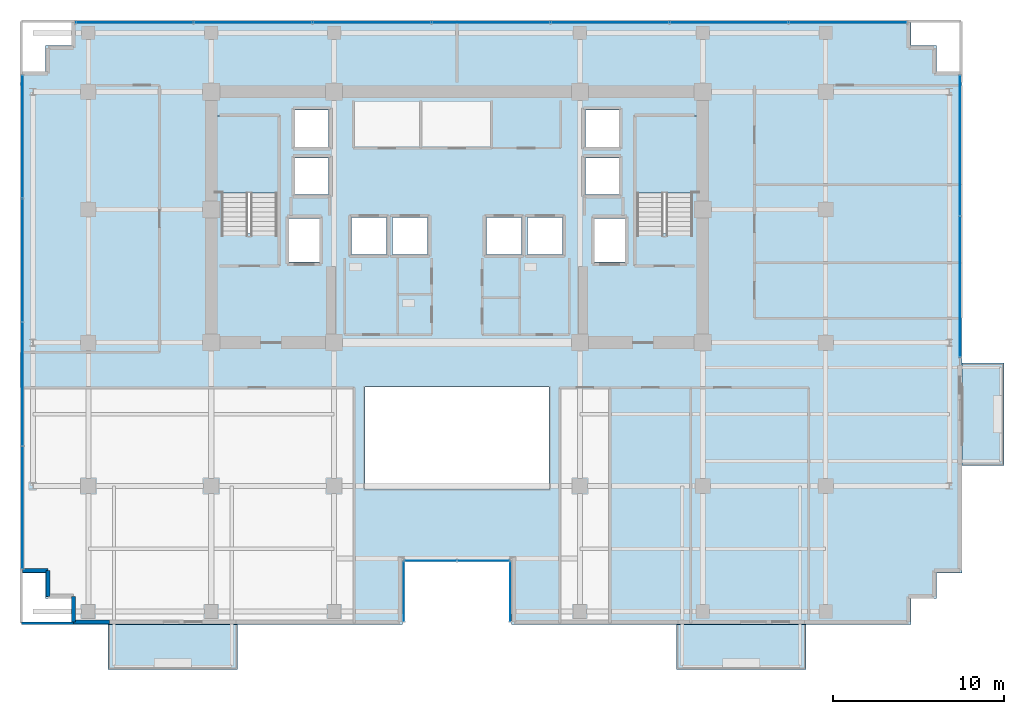
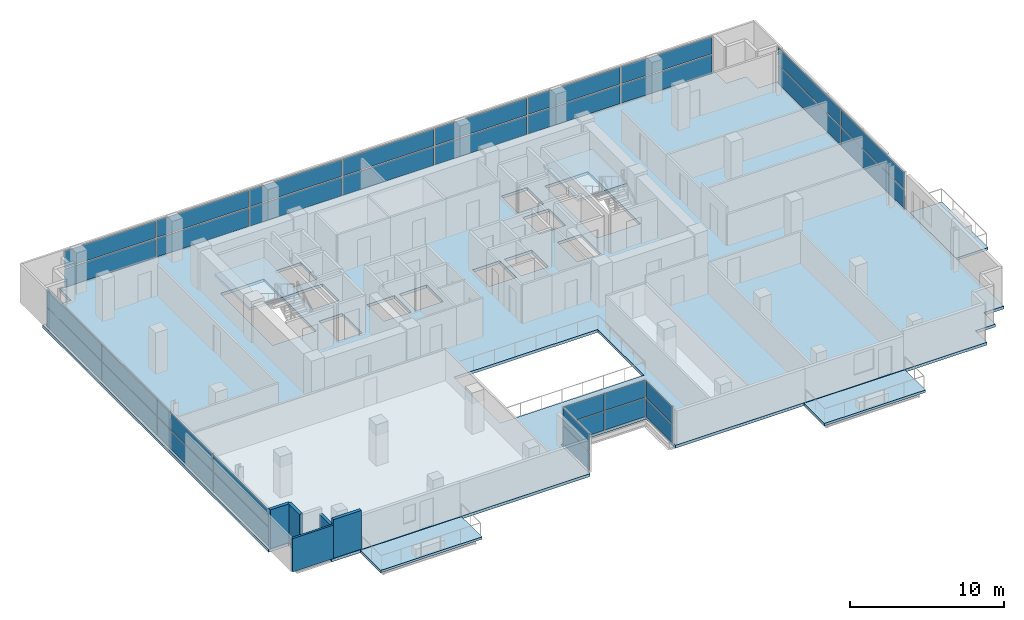
# One storey, part 16 of 24: 34 plates, 6 slabs, 5 walls, 8 elements without a shape of their own.
"""IFC4 building model written with IfcOpenShell, lengths in metres."""

import ifcopenshell
import ifcopenshell.guid

model = None  # the IFC model being written
_history = None  # IfcOwnerHistory: only IFC2X3 demands one
_inside = {}  # id of a spatial element -> (the spatial element, [elements in it])
_under = {}  # id of a project, library or spatial element -> (it, [spatial elements below it])
_declared = {}  # id of a project -> (the project, [libraries it declares])
_typed = {}  # id of a type object -> (the type object, [elements of that type])
_made_of = {}  # id of a material, layer set ... -> (it, [elements and type objects made of it])


def new_model(schema):
    """Start an empty IFC model of exactly this schema.

    Asked for "IFC4X3", IfcOpenShell would pick the latest addendum, in which some entities
    have other attributes; the version numbers below select the first issue.
    IFC2X3 requires an IfcOwnerHistory on every rooted entity: one is made here for all.
    """
    global model, _history
    if schema == "IFC4X3":
        model = ifcopenshell.file(schema_version=(4, 3, 0, 0))
    else:
        model = ifcopenshell.file(schema=schema)
    _inside.clear()
    _under.clear()
    _declared.clear()
    _typed.clear()
    _made_of.clear()
    _history = None
    if model.schema == "IFC2X3":
        org = make("IfcOrganization", Name="unknown")
        user = make(
            "IfcPersonAndOrganization",
            ThePerson=make("IfcPerson", FamilyName="unknown"),
            TheOrganization=org,
        )
        app = make(
            "IfcApplication",
            ApplicationDeveloper=org,
            Version="unknown",
            ApplicationFullName="unknown",
            ApplicationIdentifier="unknown",
        )
        _history = make(
            "IfcOwnerHistory",
            OwningUser=user,
            OwningApplication=app,
            ChangeAction="ADDED",
            CreationDate=0,
        )
    return model


def make(cls, **values):
    """One entity of the class cls with the attributes given. An attribute that is None is left unset."""
    return model.create_entity(
        cls, **{name: value for name, value in values.items() if value is not None}
    )


def rooted(cls, **values):
    """An entity with a GlobalId (a new one), such as an element, a storey or a relation."""
    return make(cls, GlobalId=ifcopenshell.guid.new(), OwnerHistory=_history, **values)


def si_unit(unit_type, name, prefix=None):
    """IfcSIUnit, for example si_unit("LENGTHUNIT", "METRE", prefix="MILLI")."""
    return make("IfcSIUnit", UnitType=unit_type, Prefix=prefix, Name=name)


def assignment(units):
    """IfcUnitAssignment: the units of a project."""
    return None if units is None else make("IfcUnitAssignment", Units=units)


def point(xyz):
    """IfcCartesianPoint."""
    return None if xyz is None else make("IfcCartesianPoint", Coordinates=xyz)


def direction(xyz):
    """IfcDirection."""
    return None if xyz is None else make("IfcDirection", DirectionRatios=xyz)


def frame(location, z_axis=None, x_axis=None):
    """IfcAxis2Placement3D, a coordinate frame: its origin and axes. An axis left out is left unset."""
    return make(
        "IfcAxis2Placement3D",
        Location=point(location),
        Axis=direction(z_axis),
        RefDirection=direction(x_axis),
    )


def frame_2d(location, x_axis=None):
    """IfcAxis2Placement2D, a coordinate frame in the plane: its origin and x axis."""
    return make(
        "IfcAxis2Placement2D", Location=point(location), RefDirection=direction(x_axis)
    )


def origin():
    """The frame at (0, 0, 0) with its axes left unset."""
    return frame((0.0, 0.0, 0.0))


def origin_2d():
    """The frame at (0, 0) in the plane with its x axis left unset."""
    return frame_2d((0.0, 0.0))


def place(relative_to, where):
    """IfcLocalPlacement: puts the frame where relative to a parent placement (None: the world)."""
    return make(
        "IfcLocalPlacement", PlacementRelTo=relative_to, RelativePlacement=where
    )


def context(
    kind, dimensions, precision=None, world=None, true_north=None, identifier=None
):
    """IfcGeometricRepresentationContext, for example the 3D "Model" context."""
    return make(
        "IfcGeometricRepresentationContext",
        ContextIdentifier=identifier,
        ContextType=kind,
        CoordinateSpaceDimension=dimensions,
        Precision=precision,
        WorldCoordinateSystem=world,
        TrueNorth=true_north,
    )


def subcontext(parent, identifier, kind, view, scale=None):
    """IfcGeometricRepresentationSubContext, for example "Body" below "Model"."""
    return make(
        "IfcGeometricRepresentationSubContext",
        ContextIdentifier=identifier,
        ContextType=kind,
        ParentContext=parent,
        TargetScale=scale,
        TargetView=view,
    )


def project(units=None, contexts=None):
    """IfcProject with its units and contexts."""
    return rooted(
        "IfcProject",
        Name="project",
        RepresentationContexts=contexts,
        UnitsInContext=assignment(units),
    )


def spatial(cls, under=None, at=None, **own):
    """A site, building, storey or space (cls), placed at a placement, below another one or the project."""
    s = rooted(cls, ObjectPlacement=at, **own)
    if under is not None:
        _under.setdefault(under.id(), (under, []))[1].append(s)
    return s


def polyline(points):
    """IfcPolyline through the points."""
    return make("IfcPolyline", Points=[point(p) for p in points])


def profile(cls, at=None, kind="AREA", **sizes):
    """A parametric profile (cls). Its sizes go by their IFC names, for example OverallWidth=200.0."""
    return make(cls, ProfileType=kind, Position=at, **sizes)


def rectangle(**sizes):
    """IfcRectangleProfileDef."""
    return profile("IfcRectangleProfileDef", **sizes)


def outline(outer, holes=None, kind="AREA"):
    """IfcArbitraryClosedProfileDef: a profile drawn as a closed curve; with holes, ...WithVoids."""
    if holes is None:
        return make("IfcArbitraryClosedProfileDef", ProfileType=kind, OuterCurve=outer)
    return make(
        "IfcArbitraryProfileDefWithVoids",
        ProfileType=kind,
        OuterCurve=outer,
        InnerCurves=holes,
    )


def extrude(swept, where, along, depth):
    """IfcExtrudedAreaSolid: the profile swept, set in the frame where, extruded along a direction by depth."""
    return make(
        "IfcExtrudedAreaSolid",
        SweptArea=swept,
        Position=where,
        ExtrudedDirection=direction(along),
        Depth=depth,
    )


def shape(context_of_items, identifier, shape_type, items):
    """IfcShapeRepresentation: the items that make up one representation, for example the "Body"."""
    return make(
        "IfcShapeRepresentation",
        ContextOfItems=context_of_items,
        RepresentationIdentifier=identifier,
        RepresentationType=shape_type,
        Items=items,
    )


def source(mapping_origin, context_of_items, identifier, shape_type, items):
    """IfcRepresentationMap: a shape defined once, which mapped items show again and again."""
    return make(
        "IfcRepresentationMap",
        MappingOrigin=mapping_origin,
        MappedRepresentation=shape(context_of_items, identifier, shape_type, items),
    )


def transform(
    local_origin,
    x_axis=None,
    y_axis=None,
    z_axis=None,
    scale=None,
    scale2=None,
    scale3=None,
    uniform=True,
):
    """IfcCartesianTransformationOperator3D, or its non-uniform kind. x_axis, y_axis, z_axis: its Axis1, 2, 3."""
    if uniform:
        return make(
            "IfcCartesianTransformationOperator3D",
            Axis1=direction(x_axis),
            Axis2=direction(y_axis),
            LocalOrigin=point(local_origin),
            Scale=scale,
            Axis3=direction(z_axis),
        )
    return make(
        "IfcCartesianTransformationOperator3DnonUniform",
        Axis1=direction(x_axis),
        Axis2=direction(y_axis),
        LocalOrigin=point(local_origin),
        Scale=scale,
        Axis3=direction(z_axis),
        Scale2=scale2,
        Scale3=scale3,
    )


def mapped(mapping_source, mapping_target):
    """IfcMappedItem: shows the shape of a source again, moved by a transform."""
    return make(
        "IfcMappedItem", MappingSource=mapping_source, MappingTarget=mapping_target
    )


def material(Name=None, Category=None):
    """IfcMaterial."""
    return make("IfcMaterial", Name=Name, Category=Category)


def layer(
    of_material, thickness, ventilated=None, Name=None, Category=None, Priority=None
):
    """IfcMaterialLayer: one layer of a wall or slab, of a material (None: an air gap)."""
    return make(
        "IfcMaterialLayer",
        Material=of_material,
        LayerThickness=thickness,
        IsVentilated=ventilated,
        Name=Name,
        Category=Category,
        Priority=Priority,
    )


def layer_set(layers, Name=None):
    """IfcMaterialLayerSet."""
    return make("IfcMaterialLayerSet", MaterialLayers=layers, LayerSetName=Name)


def made_of(thing, what):
    """Note that an element or type object is made of a material, layer set ...; save() writes the relation."""
    if what is not None:
        _made_of.setdefault(what.id(), (what, []))[1].append(thing)
    return thing


def type_object(cls, material=None, **own):
    """A type object (cls), such as IfcWallType, which elements share."""
    return made_of(rooted(cls, **own), material)


def element(
    cls,
    number,
    at=None,
    inside=None,
    cuts=None,
    type_object=None,
    material=None,
    context=None,
    identifier="Body",
    shape_type=None,
    held_by="IfcProductDefinitionShape",
    body=None,
    shapes=None,
    **own,
):
    """One element of the class cls, such as IfcWall. Its Tag is "e" and its number.

    at: its placement. inside: the storey or other place that contains it. cuts: it is an
    opening in that element (IfcRelVoidsElement). A single representation is given by context,
    identifier, shape_type and body (its items); several are given by shapes. held_by: the class
    of the entity that holds the representations. save() writes the other relations.
    """
    e = rooted(cls, Tag="e%d" % number, ObjectPlacement=at, **own)
    if body is not None:
        shapes = [shape(context, identifier, shape_type, body)]
    if shapes is not None:
        e.Representation = make(held_by, Representations=shapes)
    if inside is not None:
        _inside.setdefault(inside.id(), (inside, []))[1].append(e)
    if cuts is not None:
        rooted(
            "IfcRelVoidsElement", RelatingBuildingElement=cuts, RelatedOpeningElement=e
        )
    if type_object is not None:
        _typed.setdefault(type_object.id(), (type_object, []))[1].append(e)
    return made_of(e, material)


def aggregate(whole, parts):
    """IfcRelAggregates: a whole, such as a stair, and the parts it consists of."""
    return rooted("IfcRelAggregates", RelatingObject=whole, RelatedObjects=parts)


def save(model, path):
    """Write the relations noted so far, then the file.

    IfcRelAggregates (storeys below a building ...), IfcRelContainedInSpatialStructure (elements
    in a storey), IfcRelDefinesByType, IfcRelAssociatesMaterial and IfcRelDeclares: one each for
    every whole, place, type object, material and project.
    """
    for whole, parts in _under.values():
        aggregate(whole, parts)
    for where, things in _inside.values():
        rooted(
            "IfcRelContainedInSpatialStructure",
            RelatedElements=things,
            RelatingStructure=where,
        )
    for kind, things in _typed.values():
        rooted("IfcRelDefinesByType", RelatedObjects=things, RelatingType=kind)
    for what, things in _made_of.values():
        rooted("IfcRelAssociatesMaterial", RelatedObjects=things, RelatingMaterial=what)
    for by, libraries in _declared.values():
        rooted("IfcRelDeclares", RelatingContext=by, RelatedDefinitions=libraries)
    model.write(path)


model = new_model("IFC4")

# Units and contexts
model_context = context("Model", 3, precision=1e-05, world=origin(), true_north=direction((0.0, 1.0)))
body_context = subcontext(model_context, "Body", "Model", "MODEL_VIEW")
ifc_project = project(units=[si_unit("LENGTHUNIT", "METRE"), si_unit("AREAUNIT", "SQUARE_METRE"), si_unit("VOLUMEUNIT", "CUBIC_METRE"), si_unit("PLANEANGLEUNIT", "RADIAN"), si_unit("MASSUNIT", "GRAM", prefix="KILO")], contexts=[model_context])

# Site, building, storey
site_placement = place(None, origin())
site = spatial("IfcSite", under=ifc_project, at=site_placement, CompositionType="ELEMENT")
building_placement = place(site_placement, origin())
building = spatial("IfcBuilding", under=site, at=building_placement, Name="Zarnakvel Exchange Tower", CompositionType="ELEMENT")
storey_placement = place(building_placement, frame((0.0, 0.0, 133.0)))
storey = spatial("IfcBuildingStorey", under=building, at=storey_placement, Name="L37", CompositionType="ELEMENT", Elevation=133.0)

# Stair, slab
ifc_material_1 = material(Name="Concrete C40/50", Category="concrete")
stair_type = type_object("IfcStairType", Name="STR-01", PredefinedType="HALF_TURN_STAIR", material=ifc_material_1)
stair_1_placement = place(storey_placement, origin())
stair_1 = element("IfcStair", 1, at=stair_1_placement, inside=storey, type_object=stair_type, Name="L37 Protected Core Exit Stair ST-01", PredefinedType="HALF_TURN_STAIR")
ifc_layer_1 = layer(ifc_material_1, 0.199951171875)
ifc_layer_set_1 = layer_set([ifc_layer_1], Name="Concrete C40/50")
slab_type_1 = type_object("IfcSlabType", Name="LDG-01", PredefinedType="LANDING", material=ifc_layer_set_1)
slab_1_placement = place(storey_placement, frame((0.0, 0.0, 1.449951171875)))
slab_1 = element("IfcSlab", 2, at=slab_1_placement, type_object=slab_type_1, Name="ST-01 landing 1", PredefinedType="LANDING", context=body_context, shape_type="SweptSolid", body=[
    extrude(outline(polyline([(-14.18994140625, 7.570068359375), (-10.4599609375, 7.570068359375), (-10.4599609375, 12.080078125), (-14.18994140625, 12.080078125), (-14.18994140625, 7.570068359375)])), origin(), (0.0, 0.0, 1.0), 0.199951171875),
])
aggregate(stair_1, [slab_1])

stair_2_placement = place(storey_placement, origin())
stair_2 = element("IfcStair", 3, at=stair_2_placement, inside=storey, type_object=stair_type, Name="L37 Protected Core Exit Stair ST-02", PredefinedType="HALF_TURN_STAIR")
slab_2_placement = place(storey_placement, frame((0.0, 0.0, 1.449951171875)))
slab_2 = element("IfcSlab", 4, at=slab_2_placement, type_object=slab_type_1, Name="ST-02 landing 1", PredefinedType="LANDING", context=body_context, shape_type="SweptSolid", body=[
    extrude(outline(polyline([(10.4599609375, 7.570068359375), (14.18994140625, 7.570068359375), (14.18994140625, 12.080078125), (10.4599609375, 12.080078125), (10.4599609375, 7.570068359375)])), origin(), (0.0, 0.0, 1.0), 0.199951171875),
])
aggregate(stair_2, [slab_2])

# Slabs
ifc_layer_2 = layer(ifc_material_1, 0.22509765625)
ifc_layer_set_2 = layer_set([ifc_layer_2], Name="Concrete C40/50")
slab_type_2 = type_object("IfcSlabType", Name="SL-04", PredefinedType="FLOOR", material=ifc_layer_set_2)
slab_3_placement = place(storey_placement, frame((0.0, 0.0, -0.22509765625)))
element("IfcSlab", 5, at=slab_3_placement, inside=storey, type_object=slab_type_2, Name="L37 Primary Structural Floor Slab", PredefinedType="FLOOR", context=body_context, shape_type="SweptSolid", body=[
    extrude(outline(polyline([(-25.60009765625, -14.699951171875), (-24.10009765625, -14.699951171875), (-24.10009765625, -16.199951171875), (-22.60009765625, -16.199951171875), (-22.60009765625, -17.699951171875), (-3.199951171875, -17.699951171875), (-3.199951171875, -13.89990234375), (3.199951171875, -13.89990234375), (3.199951171875, -17.699951171875), (26.60009765625, -17.699951171875), (26.60009765625, -16.199951171875), (28.10009765625, -16.199951171875), (28.10009765625, -14.699951171875), (29.60009765625, -14.699951171875), (29.60009765625, 14.699951171875), (28.10009765625, 14.699951171875), (28.10009765625, 16.199951171875), (26.60009765625, 16.199951171875), (26.60009765625, 17.699951171875), (-22.60009765625, 17.699951171875), (-22.60009765625, 16.199951171875), (-24.10009765625, 16.199951171875), (-24.10009765625, 14.699951171875), (-25.60009765625, 14.699951171875), (-25.60009765625, -14.699951171875)]), holes=[polyline([(-5.39990234375, -9.800048828125), (5.39990234375, -9.800048828125), (5.39990234375, -3.800048828125), (-5.39990234375, -3.800048828125), (-5.39990234375, -9.800048828125)]), polyline([(-13.800048828125, 5.2099609375), (-10.5400390625, 5.2099609375), (-10.5400390625, 12.0), (-13.800048828125, 12.0), (-13.800048828125, 5.2099609375)]), polyline([(10.5400390625, 5.2099609375), (13.800048828125, 5.2099609375), (13.800048828125, 12.0), (10.5400390625, 12.0), (10.5400390625, 5.2099609375)]), polyline([(-9.830078125, 3.52001953125), (-8.070068359375, 3.52001953125), (-8.070068359375, 6.080078125), (-9.830078125, 6.080078125), (-9.830078125, 3.52001953125)]), polyline([(8.070068359375, 3.52001953125), (9.830078125, 3.52001953125), (9.830078125, 6.080078125), (8.070068359375, 6.080078125), (8.070068359375, 3.52001953125)]), polyline([(-6.179931640625, 3.969970703125), (-4.1201171875, 3.969970703125), (-4.1201171875, 6.1298828125), (-6.179931640625, 6.1298828125), (-6.179931640625, 3.969970703125)]), polyline([(-3.780029296875, 3.969970703125), (-1.719970703125, 3.969970703125), (-1.719970703125, 6.1298828125), (-3.780029296875, 6.1298828125), (-3.780029296875, 3.969970703125)]), polyline([(1.719970703125, 3.969970703125), (3.780029296875, 3.969970703125), (3.780029296875, 6.1298828125), (1.719970703125, 6.1298828125), (1.719970703125, 3.969970703125)]), polyline([(4.1201171875, 3.969970703125), (6.179931640625, 3.969970703125), (6.179931640625, 6.1298828125), (4.1201171875, 6.1298828125), (4.1201171875, 3.969970703125)]), polyline([(-9.47998046875, 7.469970703125), (-7.52001953125, 7.469970703125), (-7.52001953125, 9.6298828125), (-9.47998046875, 9.6298828125), (-9.47998046875, 7.469970703125)]), polyline([(-9.47998046875, 10.27001953125), (-7.52001953125, 10.27001953125), (-7.52001953125, 12.429931640625), (-9.47998046875, 12.429931640625), (-9.47998046875, 10.27001953125)]), polyline([(7.52001953125, 7.469970703125), (9.47998046875, 7.469970703125), (9.47998046875, 9.6298828125), (7.52001953125, 9.6298828125), (7.52001953125, 7.469970703125)]), polyline([(7.52001953125, 10.27001953125), (9.47998046875, 10.27001953125), (9.47998046875, 12.429931640625), (7.52001953125, 12.429931640625), (7.52001953125, 10.27001953125)])]), origin(), (0.0, 0.0, 1.0), 0.22509765625),
])
ifc_layer_3 = layer(ifc_material_1, 0.18994140625)
ifc_layer_set_3 = layer_set([ifc_layer_3], Name="Concrete C40/50")
slab_type_3 = type_object("IfcSlabType", Name="SL-08", PredefinedType="USERDEFINED", material=ifc_layer_set_3)
slab_4_placement = place(storey_placement, frame((0.0, 0.0, -0.22509765625)))
element("IfcSlab", 6, at=slab_4_placement, inside=storey, type_object=slab_type_3, Name="L37 Planted Loggia Balcony Slab BAL-L37-SW", ObjectType="BALCONY", PredefinedType="USERDEFINED", context=body_context, shape_type="SweptSolid", body=[
    extrude(outline(polyline([(-20.449951171875, -20.35009765625), (-12.85009765625, -20.35009765625), (-12.85009765625, -17.699951171875), (-20.449951171875, -17.699951171875), (-20.449951171875, -20.35009765625)])), origin(), (0.0, 0.0, 1.0), 0.190185546875),
])
slab_5_placement = place(storey_placement, frame((0.0, 0.0, -0.22509765625)))
element("IfcSlab", 7, at=slab_5_placement, inside=storey, type_object=slab_type_3, Name="L37 Planted Loggia Balcony Slab BAL-L37-SE", ObjectType="BALCONY", PredefinedType="USERDEFINED", context=body_context, shape_type="SweptSolid", body=[
    extrude(outline(polyline([(12.85009765625, -20.35009765625), (20.449951171875, -20.35009765625), (20.449951171875, -17.699951171875), (12.85009765625, -17.699951171875), (12.85009765625, -20.35009765625)])), origin(), (0.0, 0.0, 1.0), 0.190185546875),
])
slab_6_placement = place(storey_placement, frame((0.0, 0.0, -0.22509765625)))
element("IfcSlab", 8, at=slab_6_placement, inside=storey, type_object=slab_type_3, Name="L37 Planted Loggia Balcony Slab BAL-L37-E", ObjectType="BALCONY", PredefinedType="USERDEFINED", context=body_context, shape_type="SweptSolid", body=[
    extrude(outline(polyline([(29.60009765625, -8.39990234375), (32.050048828125, -8.39990234375), (32.050048828125, -2.39990234375), (29.60009765625, -2.39990234375), (29.60009765625, -8.39990234375)])), origin(), (0.0, 0.0, 1.0), 0.190185546875),
])

# Curtain wall, plate
ifc_material_2 = material(Name="Architectural Bronze Anodised Aluminium", Category="aluminium")
ifc_layer_4 = layer(ifc_material_2, 0.179931640625)
ifc_layer_set_4 = layer_set([ifc_layer_4], Name="Architectural Bronze Anodised Aluminium")
curtain_wall_type_1 = type_object("IfcCurtainWallType", Name="CW-05", PredefinedType="NOTDEFINED", material=ifc_layer_set_4)
curtain_wall_1_placement = place(storey_placement, origin())
curtain_wall_1 = element("IfcCurtainWall", 9, at=curtain_wall_1_placement, inside=storey, type_object=curtain_wall_type_1, Name="L37 Curtain Wall CW-L37-SLW (CW-05)", PredefinedType="NOTDEFINED")
ifc_material_3 = material(Name="Double Low-E Laminated Vision Glass", Category="glass")
ifc_layer_5 = layer(ifc_material_3, 0.02587890625)
ifc_layer_set_5 = layer_set([ifc_layer_5], Name="Double Low-E Laminated Vision Glass")
plate_type_1 = type_object("IfcPlateType", Name="CWP-05", PredefinedType="CURTAIN_PANEL", material=ifc_layer_set_5)
shared_shape_1 = source(origin(), body_context, "Body", "SweptSolid", [
    extrude(rectangle(XDim=3.4599609375, YDim=0.02587890625, at=origin_2d()), origin(), (0.0, 0.0, 1.0), 1.483642578125),
])
plate_1_placement = place(storey_placement, frame((-3.1201171875, -15.780029296875, 0.06982421875), z_axis=(0.0, 0.0, 1.0), x_axis=(0.0, 1.0, 0.0)))
plate_1 = element("IfcPlate", 10, at=plate_1_placement, type_object=plate_type_1, Name="CW-05 panel 1.1", PredefinedType="CURTAIN_PANEL", context=body_context, shape_type="MappedRepresentation", body=[
    mapped(shared_shape_1, transform((0.0, 0.0, 0.0), x_axis=(1.0, 0.0, 0.0), y_axis=(0.0, 1.0, 0.0), z_axis=(0.0, 0.0, 1.0), scale=1.0)),
])

curtain_wall_2_placement = place(storey_placement, origin())
curtain_wall_2 = element("IfcCurtainWall", 11, at=curtain_wall_2_placement, inside=storey, type_object=curtain_wall_type_1, Name="L37 Curtain Wall CW-L37-SLE (CW-05)", PredefinedType="NOTDEFINED")
plate_2_placement = place(storey_placement, frame((3.1201171875, -15.780029296875, 0.06982421875), z_axis=(0.0, 0.0, 1.0), x_axis=(0.0, -1.0, 0.0)))
plate_2 = element("IfcPlate", 12, at=plate_2_placement, type_object=plate_type_1, Name="CW-05 panel 1.1", PredefinedType="CURTAIN_PANEL", context=body_context, shape_type="MappedRepresentation", body=[
    mapped(shared_shape_1, transform((0.0, 0.0, 0.0), x_axis=(1.0, 0.0, 0.0), y_axis=(0.0, 1.0, 0.0), z_axis=(0.0, 0.0, 1.0), scale=1.0)),
])

# Plate
shared_shape_2 = source(origin(), body_context, "Body", "SweptSolid", [
    extrude(rectangle(XDim=3.4599609375, YDim=0.02587890625, at=origin_2d()), origin(), (0.0, 0.0, 1.0), 1.361328125),
])
plate_3_placement = place(storey_placement, frame((-3.1201171875, -15.780029296875, 1.62353515625), z_axis=(0.0, 0.0, 1.0), x_axis=(0.0, 1.0, 0.0)))
plate_3 = element("IfcPlate", 13, at=plate_3_placement, type_object=plate_type_1, Name="CW-05 panel 1.2", PredefinedType="CURTAIN_PANEL", context=body_context, shape_type="MappedRepresentation", body=[
    mapped(shared_shape_2, transform((0.0, 0.0, 0.0), x_axis=(1.0, 0.0, 0.0), y_axis=(0.0, 1.0, 0.0), z_axis=(0.0, 0.0, 1.0), scale=1.0)),
])

aggregate(curtain_wall_1, [plate_1, plate_3])

plate_4_placement = place(storey_placement, frame((3.1201171875, -15.780029296875, 1.62353515625), z_axis=(0.0, 0.0, 1.0), x_axis=(0.0, -1.0, 0.0)))
plate_4 = element("IfcPlate", 14, at=plate_4_placement, type_object=plate_type_1, Name="CW-05 panel 1.2", PredefinedType="CURTAIN_PANEL", context=body_context, shape_type="MappedRepresentation", body=[
    mapped(shared_shape_2, transform((0.0, 0.0, 0.0), x_axis=(1.0, 0.0, 0.0), y_axis=(0.0, 1.0, 0.0), z_axis=(0.0, 0.0, 1.0), scale=1.0)),
])

aggregate(curtain_wall_2, [plate_2, plate_4])

# Curtain wall, plates
curtain_wall_3_placement = place(storey_placement, origin())
curtain_wall_3 = element("IfcCurtainWall", 15, at=curtain_wall_3_placement, inside=storey, type_object=curtain_wall_type_1, Name="L37 Curtain Wall CW-L37-SLB (CW-05)", PredefinedType="NOTDEFINED")
shared_shape_3 = source(origin(), body_context, "Body", "SweptSolid", [
    extrude(rectangle(XDim=3.014892578125, YDim=0.02587890625, at=origin_2d()), origin(), (0.0, 0.0, 1.0), 1.483642578125),
])
plate_5_placement = place(storey_placement, frame((-1.54248046875, -13.97998046875, 0.06982421875), z_axis=(0.0, 0.0, 1.0), x_axis=(1.0, 0.0, 0.0)))
plate_5 = element("IfcPlate", 16, at=plate_5_placement, type_object=plate_type_1, Name="CW-05 panel 1.1", PredefinedType="CURTAIN_PANEL", context=body_context, shape_type="MappedRepresentation", body=[
    mapped(shared_shape_3, transform((0.0, 0.0, 0.0), x_axis=(1.0, 0.0, 0.0), y_axis=(0.0, 1.0, 0.0), z_axis=(0.0, 0.0, 1.0), scale=1.0)),
])
plate_6_placement = place(storey_placement, frame((1.54248046875, -13.97998046875, 0.06982421875), z_axis=(0.0, 0.0, 1.0), x_axis=(1.0, 0.0, 0.0)))
plate_6 = element("IfcPlate", 17, at=plate_6_placement, type_object=plate_type_1, Name="CW-05 panel 2.1", PredefinedType="CURTAIN_PANEL", context=body_context, shape_type="MappedRepresentation", body=[
    mapped(shared_shape_3, transform((0.0, 0.0, 0.0), x_axis=(1.0, 0.0, 0.0), y_axis=(0.0, 1.0, 0.0), z_axis=(0.0, 0.0, 1.0), scale=1.0)),
])
shared_shape_4 = source(origin(), body_context, "Body", "SweptSolid", [
    extrude(rectangle(XDim=3.014892578125, YDim=0.02587890625, at=origin_2d()), origin(), (0.0, 0.0, 1.0), 1.361328125),
])
plate_7_placement = place(storey_placement, frame((-1.54248046875, -13.97998046875, 1.62353515625), z_axis=(0.0, 0.0, 1.0), x_axis=(1.0, 0.0, 0.0)))
plate_7 = element("IfcPlate", 18, at=plate_7_placement, type_object=plate_type_1, Name="CW-05 panel 1.2", PredefinedType="CURTAIN_PANEL", context=body_context, shape_type="MappedRepresentation", body=[
    mapped(shared_shape_4, transform((0.0, 0.0, 0.0), x_axis=(1.0, 0.0, 0.0), y_axis=(0.0, 1.0, 0.0), z_axis=(0.0, 0.0, 1.0), scale=1.0)),
])
plate_8_placement = place(storey_placement, frame((1.54248046875, -13.97998046875, 1.62353515625), z_axis=(0.0, 0.0, 1.0), x_axis=(1.0, 0.0, 0.0)))
plate_8 = element("IfcPlate", 19, at=plate_8_placement, type_object=plate_type_1, Name="CW-05 panel 2.2", PredefinedType="CURTAIN_PANEL", context=body_context, shape_type="MappedRepresentation", body=[
    mapped(shared_shape_4, transform((0.0, 0.0, 0.0), x_axis=(1.0, 0.0, 0.0), y_axis=(0.0, 1.0, 0.0), z_axis=(0.0, 0.0, 1.0), scale=1.0)),
])
aggregate(curtain_wall_3, [plate_5, plate_7, plate_6, plate_8])

ifc_layer_6 = layer(ifc_material_2, 0.199951171875)
ifc_layer_set_6 = layer_set([ifc_layer_6], Name="Architectural Bronze Anodised Aluminium")
curtain_wall_type_2 = type_object("IfcCurtainWallType", Name="CW-04", PredefinedType="NOTDEFINED", material=ifc_layer_set_6)
curtain_wall_4_placement = place(storey_placement, origin())
curtain_wall_4 = element("IfcCurtainWall", 20, at=curtain_wall_4_placement, inside=storey, type_object=curtain_wall_type_2, Name="L37 Curtain Wall CW-L37-W1 (CW-04)", PredefinedType="NOTDEFINED")
ifc_layer_7 = layer(ifc_material_3, 0.028076171875)
ifc_layer_set_7 = layer_set([ifc_layer_7], Name="Double Low-E Laminated Vision Glass")
plate_type_2 = type_object("IfcPlateType", Name="CWP-04", PredefinedType="CURTAIN_PANEL", material=ifc_layer_set_7)
shared_shape_5 = source(origin(), body_context, "Body", "SweptSolid", [
    extrude(rectangle(XDim=7.137451171875, YDim=0.028076171875, at=origin_2d()), origin(), (0.0, 0.0, 1.0), 1.47607421875),
])
plate_9_placement = place(storey_placement, frame((-25.4599609375, -10.856201171875, 0.074951171875), z_axis=(0.0, 0.0, 1.0), x_axis=(0.0, 1.0, 0.0)))
plate_9 = element("IfcPlate", 21, at=plate_9_placement, type_object=plate_type_2, Name="CW-04 panel 1.1", PredefinedType="CURTAIN_PANEL", context=body_context, shape_type="MappedRepresentation", body=[
    mapped(shared_shape_5, transform((0.0, 0.0, 0.0), x_axis=(1.0, 0.0, 0.0), y_axis=(0.0, 1.0, 0.0), z_axis=(0.0, 0.0, 1.0), scale=1.0)),
])
plate_10_placement = place(storey_placement, frame((-25.4599609375, 10.856201171875, 0.074951171875), z_axis=(0.0, 0.0, 1.0), x_axis=(0.0, 1.0, 0.0)))
plate_10 = element("IfcPlate", 22, at=plate_10_placement, type_object=plate_type_2, Name="CW-04 panel 4.1", PredefinedType="CURTAIN_PANEL", context=body_context, shape_type="MappedRepresentation", body=[
    mapped(shared_shape_5, transform((0.0, 0.0, 0.0), x_axis=(1.0, 0.0, 0.0), y_axis=(0.0, 1.0, 0.0), z_axis=(0.0, 0.0, 1.0), scale=1.0)),
])
shared_shape_6 = source(origin(), body_context, "Body", "SweptSolid", [
    extrude(rectangle(XDim=7.137451171875, YDim=0.028076171875, at=origin_2d()), origin(), (0.0, 0.0, 1.0), 1.35400390625),
])
plate_11_placement = place(storey_placement, frame((-25.4599609375, -10.856201171875, 1.6259765625), z_axis=(0.0, 0.0, 1.0), x_axis=(0.0, 1.0, 0.0)))
plate_11 = element("IfcPlate", 23, at=plate_11_placement, type_object=plate_type_2, Name="CW-04 panel 1.2", PredefinedType="CURTAIN_PANEL", context=body_context, shape_type="MappedRepresentation", body=[
    mapped(shared_shape_6, transform((0.0, 0.0, 0.0), x_axis=(1.0, 0.0, 0.0), y_axis=(0.0, 1.0, 0.0), z_axis=(0.0, 0.0, 1.0), scale=1.0)),
])
plate_12_placement = place(storey_placement, frame((-25.4599609375, 10.856201171875, 1.6259765625), z_axis=(0.0, 0.0, 1.0), x_axis=(0.0, 1.0, 0.0)))
plate_12 = element("IfcPlate", 24, at=plate_12_placement, type_object=plate_type_2, Name="CW-04 panel 4.2", PredefinedType="CURTAIN_PANEL", context=body_context, shape_type="MappedRepresentation", body=[
    mapped(shared_shape_6, transform((0.0, 0.0, 0.0), x_axis=(1.0, 0.0, 0.0), y_axis=(0.0, 1.0, 0.0), z_axis=(0.0, 0.0, 1.0), scale=1.0)),
])
shared_shape_7 = source(origin(), body_context, "Body", "SweptSolid", [
    extrude(rectangle(XDim=7.175048828125, YDim=0.028076171875, at=origin_2d()), origin(), (0.0, 0.0, 1.0), 1.47607421875),
])
plate_13_placement = place(storey_placement, frame((-25.4599609375, -3.625, 0.074951171875), z_axis=(0.0, 0.0, 1.0), x_axis=(0.0, 1.0, 0.0)))
plate_13 = element("IfcPlate", 25, at=plate_13_placement, type_object=plate_type_2, Name="CW-04 panel 2.1", PredefinedType="CURTAIN_PANEL", context=body_context, shape_type="MappedRepresentation", body=[
    mapped(shared_shape_7, transform((0.0, 0.0, 0.0), x_axis=(1.0, 0.0, 0.0), y_axis=(0.0, 1.0, 0.0), z_axis=(0.0, 0.0, 1.0), scale=1.0)),
])
plate_14_placement = place(storey_placement, frame((-25.4599609375, 3.625, 0.074951171875), z_axis=(0.0, 0.0, 1.0), x_axis=(0.0, 1.0, 0.0)))
plate_14 = element("IfcPlate", 26, at=plate_14_placement, type_object=plate_type_2, Name="CW-04 panel 3.1", PredefinedType="CURTAIN_PANEL", context=body_context, shape_type="MappedRepresentation", body=[
    mapped(shared_shape_7, transform((0.0, 0.0, 0.0), x_axis=(1.0, 0.0, 0.0), y_axis=(0.0, 1.0, 0.0), z_axis=(0.0, 0.0, 1.0), scale=1.0)),
])
shared_shape_8 = source(origin(), body_context, "Body", "SweptSolid", [
    extrude(rectangle(XDim=7.175048828125, YDim=0.028076171875, at=origin_2d()), origin(), (0.0, 0.0, 1.0), 1.35400390625),
])
plate_15_placement = place(storey_placement, frame((-25.4599609375, -3.625, 1.6259765625), z_axis=(0.0, 0.0, 1.0), x_axis=(0.0, 1.0, 0.0)))
plate_15 = element("IfcPlate", 27, at=plate_15_placement, type_object=plate_type_2, Name="CW-04 panel 2.2", PredefinedType="CURTAIN_PANEL", context=body_context, shape_type="MappedRepresentation", body=[
    mapped(shared_shape_8, transform((0.0, 0.0, 0.0), x_axis=(1.0, 0.0, 0.0), y_axis=(0.0, 1.0, 0.0), z_axis=(0.0, 0.0, 1.0), scale=1.0)),
])
plate_16_placement = place(storey_placement, frame((-25.4599609375, 3.625, 1.6259765625), z_axis=(0.0, 0.0, 1.0), x_axis=(0.0, 1.0, 0.0)))
plate_16 = element("IfcPlate", 28, at=plate_16_placement, type_object=plate_type_2, Name="CW-04 panel 3.2", PredefinedType="CURTAIN_PANEL", context=body_context, shape_type="MappedRepresentation", body=[
    mapped(shared_shape_8, transform((0.0, 0.0, 0.0), x_axis=(1.0, 0.0, 0.0), y_axis=(0.0, 1.0, 0.0), z_axis=(0.0, 0.0, 1.0), scale=1.0)),
])
aggregate(curtain_wall_4, [plate_9, plate_11, plate_13, plate_15, plate_14, plate_16, plate_10, plate_12])

curtain_wall_5_placement = place(storey_placement, origin())
curtain_wall_5 = element("IfcCurtainWall", 29, at=curtain_wall_5_placement, inside=storey, type_object=curtain_wall_type_2, Name="L37 Curtain Wall CW-L37-EN (CW-04)", PredefinedType="NOTDEFINED")
shared_shape_9 = source(origin(), body_context, "Body", "SweptSolid", [
    extrude(rectangle(XDim=8.1875, YDim=0.028076171875, at=origin_2d()), origin(), (0.0, 0.0, 1.0), 1.47607421875),
])
plate_17_placement = place(storey_placement, frame((29.4599609375, 2.06884765625, 0.074951171875), z_axis=(0.0, 0.0, 1.0), x_axis=(0.0, 1.0, 0.0)))
plate_17 = element("IfcPlate", 30, at=plate_17_placement, type_object=plate_type_2, Name="CW-04 panel 1.1", PredefinedType="CURTAIN_PANEL", context=body_context, shape_type="MappedRepresentation", body=[
    mapped(shared_shape_9, transform((0.0, 0.0, 0.0), x_axis=(1.0, 0.0, 0.0), y_axis=(0.0, 1.0, 0.0), z_axis=(0.0, 0.0, 1.0), scale=1.0)),
])
plate_18_placement = place(storey_placement, frame((29.4599609375, 10.331298828125, 0.074951171875), z_axis=(0.0, 0.0, 1.0), x_axis=(0.0, 1.0, 0.0)))
plate_18 = element("IfcPlate", 31, at=plate_18_placement, type_object=plate_type_2, Name="CW-04 panel 2.1", PredefinedType="CURTAIN_PANEL", context=body_context, shape_type="MappedRepresentation", body=[
    mapped(shared_shape_9, transform((0.0, 0.0, 0.0), x_axis=(1.0, 0.0, 0.0), y_axis=(0.0, 1.0, 0.0), z_axis=(0.0, 0.0, 1.0), scale=1.0)),
])
shared_shape_10 = source(origin(), body_context, "Body", "SweptSolid", [
    extrude(rectangle(XDim=8.1875, YDim=0.028076171875, at=origin_2d()), origin(), (0.0, 0.0, 1.0), 1.35400390625),
])
plate_19_placement = place(storey_placement, frame((29.4599609375, 2.06884765625, 1.6259765625), z_axis=(0.0, 0.0, 1.0), x_axis=(0.0, 1.0, 0.0)))
plate_19 = element("IfcPlate", 32, at=plate_19_placement, type_object=plate_type_2, Name="CW-04 panel 1.2", PredefinedType="CURTAIN_PANEL", context=body_context, shape_type="MappedRepresentation", body=[
    mapped(shared_shape_10, transform((0.0, 0.0, 0.0), x_axis=(1.0, 0.0, 0.0), y_axis=(0.0, 1.0, 0.0), z_axis=(0.0, 0.0, 1.0), scale=1.0)),
])
plate_20_placement = place(storey_placement, frame((29.4599609375, 10.331298828125, 1.6259765625), z_axis=(0.0, 0.0, 1.0), x_axis=(0.0, 1.0, 0.0)))
plate_20 = element("IfcPlate", 33, at=plate_20_placement, type_object=plate_type_2, Name="CW-04 panel 2.2", PredefinedType="CURTAIN_PANEL", context=body_context, shape_type="MappedRepresentation", body=[
    mapped(shared_shape_10, transform((0.0, 0.0, 0.0), x_axis=(1.0, 0.0, 0.0), y_axis=(0.0, 1.0, 0.0), z_axis=(0.0, 0.0, 1.0), scale=1.0)),
])
aggregate(curtain_wall_5, [plate_17, plate_19, plate_18, plate_20])

ifc_layer_8 = layer(ifc_material_2, 0.239990234375)
ifc_layer_set_8 = layer_set([ifc_layer_8], Name="Architectural Bronze Anodised Aluminium")
curtain_wall_type_3 = type_object("IfcCurtainWallType", Name="CW-02", PredefinedType="NOTDEFINED", material=ifc_layer_set_8)
curtain_wall_6_placement = place(storey_placement, origin())
curtain_wall_6 = element("IfcCurtainWall", 34, at=curtain_wall_6_placement, inside=storey, type_object=curtain_wall_type_3, Name="L37 Curtain Wall CW-L37-N1 (CW-02)", PredefinedType="NOTDEFINED")
ifc_layer_9 = layer(ifc_material_3, 0.031982421875)
ifc_layer_set_9 = layer_set([ifc_layer_9], Name="Double Low-E Laminated Vision Glass")
plate_type_3 = type_object("IfcPlateType", Name="CWP-02", PredefinedType="CURTAIN_PANEL", material=ifc_layer_set_9)
shared_shape_11 = source(origin(), body_context, "Body", "SweptSolid", [
    extrude(rectangle(XDim=6.83642578125, YDim=0.031982421875, at=origin_2d()), origin(), (0.0, 0.0, 1.0), 1.461181640625),
])
plate_21_placement = place(storey_placement, frame((-18.891845703125, 17.56005859375, 0.0849609375), z_axis=(0.0, 0.0, 1.0), x_axis=(1.0, 0.0, 0.0)))
plate_21 = element("IfcPlate", 35, at=plate_21_placement, type_object=plate_type_3, Name="CW-02 panel 1.1", PredefinedType="CURTAIN_PANEL", context=body_context, shape_type="MappedRepresentation", body=[
    mapped(shared_shape_11, transform((0.0, 0.0, 0.0), x_axis=(1.0, 0.0, 0.0), y_axis=(0.0, 1.0, 0.0), z_axis=(0.0, 0.0, 1.0), scale=1.0)),
])
plate_22_placement = place(storey_placement, frame((22.891845703125, 17.56005859375, 0.0849609375), z_axis=(0.0, 0.0, 1.0), x_axis=(1.0, 0.0, 0.0)))
plate_22 = element("IfcPlate", 36, at=plate_22_placement, type_object=plate_type_3, Name="CW-02 panel 7.1", PredefinedType="CURTAIN_PANEL", context=body_context, shape_type="MappedRepresentation", body=[
    mapped(shared_shape_11, transform((0.0, 0.0, 0.0), x_axis=(1.0, 0.0, 0.0), y_axis=(0.0, 1.0, 0.0), z_axis=(0.0, 0.0, 1.0), scale=1.0)),
])
shared_shape_12 = source(origin(), body_context, "Body", "SweptSolid", [
    extrude(rectangle(XDim=6.83642578125, YDim=0.031982421875, at=origin_2d()), origin(), (0.0, 0.0, 1.0), 1.3388671875),
])
plate_23_placement = place(storey_placement, frame((-18.891845703125, 17.56005859375, 1.631103515625), z_axis=(0.0, 0.0, 1.0), x_axis=(1.0, 0.0, 0.0)))
plate_23 = element("IfcPlate", 37, at=plate_23_placement, type_object=plate_type_3, Name="CW-02 panel 1.2", PredefinedType="CURTAIN_PANEL", context=body_context, shape_type="MappedRepresentation", body=[
    mapped(shared_shape_12, transform((0.0, 0.0, 0.0), x_axis=(1.0, 0.0, 0.0), y_axis=(0.0, 1.0, 0.0), z_axis=(0.0, 0.0, 1.0), scale=1.0)),
])
plate_24_placement = place(storey_placement, frame((22.891845703125, 17.56005859375, 1.631103515625), z_axis=(0.0, 0.0, 1.0), x_axis=(1.0, 0.0, 0.0)))
plate_24 = element("IfcPlate", 38, at=plate_24_placement, type_object=plate_type_3, Name="CW-02 panel 7.2", PredefinedType="CURTAIN_PANEL", context=body_context, shape_type="MappedRepresentation", body=[
    mapped(shared_shape_12, transform((0.0, 0.0, 0.0), x_axis=(1.0, 0.0, 0.0), y_axis=(0.0, 1.0, 0.0), z_axis=(0.0, 0.0, 1.0), scale=1.0)),
])
shared_shape_13 = source(origin(), body_context, "Body", "SweptSolid", [
    extrude(rectangle(XDim=6.88134765625, YDim=0.031982421875, at=origin_2d()), origin(), (0.0, 0.0, 1.0), 1.461181640625),
])
plate_25_placement = place(storey_placement, frame((-11.94287109375, 17.56005859375, 0.0849609375), z_axis=(0.0, 0.0, 1.0), x_axis=(1.0, 0.0, 0.0)))
plate_25 = element("IfcPlate", 39, at=plate_25_placement, type_object=plate_type_3, Name="CW-02 panel 2.1", PredefinedType="CURTAIN_PANEL", context=body_context, shape_type="MappedRepresentation", body=[
    mapped(shared_shape_13, transform((0.0, 0.0, 0.0), x_axis=(1.0, 0.0, 0.0), y_axis=(0.0, 1.0, 0.0), z_axis=(0.0, 0.0, 1.0), scale=1.0)),
])
plate_26_placement = place(storey_placement, frame((-4.971435546875, 17.56005859375, 0.0849609375), z_axis=(0.0, 0.0, 1.0), x_axis=(1.0, 0.0, 0.0)))
plate_26 = element("IfcPlate", 40, at=plate_26_placement, type_object=plate_type_3, Name="CW-02 panel 3.1", PredefinedType="CURTAIN_PANEL", context=body_context, shape_type="MappedRepresentation", body=[
    mapped(shared_shape_13, transform((0.0, 0.0, 0.0), x_axis=(1.0, 0.0, 0.0), y_axis=(0.0, 1.0, 0.0), z_axis=(0.0, 0.0, 1.0), scale=1.0)),
])
plate_27_placement = place(storey_placement, frame((2.0, 17.56005859375, 0.0849609375), z_axis=(0.0, 0.0, 1.0), x_axis=(1.0, 0.0, 0.0)))
plate_27 = element("IfcPlate", 41, at=plate_27_placement, type_object=plate_type_3, Name="CW-02 panel 4.1", PredefinedType="CURTAIN_PANEL", context=body_context, shape_type="MappedRepresentation", body=[
    mapped(shared_shape_13, transform((0.0, 0.0, 0.0), x_axis=(1.0, 0.0, 0.0), y_axis=(0.0, 1.0, 0.0), z_axis=(0.0, 0.0, 1.0), scale=1.0)),
])
plate_28_placement = place(storey_placement, frame((8.971435546875, 17.56005859375, 0.0849609375), z_axis=(0.0, 0.0, 1.0), x_axis=(1.0, 0.0, 0.0)))
plate_28 = element("IfcPlate", 42, at=plate_28_placement, type_object=plate_type_3, Name="CW-02 panel 5.1", PredefinedType="CURTAIN_PANEL", context=body_context, shape_type="MappedRepresentation", body=[
    mapped(shared_shape_13, transform((0.0, 0.0, 0.0), x_axis=(1.0, 0.0, 0.0), y_axis=(0.0, 1.0, 0.0), z_axis=(0.0, 0.0, 1.0), scale=1.0)),
])
plate_29_placement = place(storey_placement, frame((15.94287109375, 17.56005859375, 0.0849609375), z_axis=(0.0, 0.0, 1.0), x_axis=(1.0, 0.0, 0.0)))
plate_29 = element("IfcPlate", 43, at=plate_29_placement, type_object=plate_type_3, Name="CW-02 panel 6.1", PredefinedType="CURTAIN_PANEL", context=body_context, shape_type="MappedRepresentation", body=[
    mapped(shared_shape_13, transform((0.0, 0.0, 0.0), x_axis=(1.0, 0.0, 0.0), y_axis=(0.0, 1.0, 0.0), z_axis=(0.0, 0.0, 1.0), scale=1.0)),
])
shared_shape_14 = source(origin(), body_context, "Body", "SweptSolid", [
    extrude(rectangle(XDim=6.88134765625, YDim=0.031982421875, at=origin_2d()), origin(), (0.0, 0.0, 1.0), 1.3388671875),
])
plate_30_placement = place(storey_placement, frame((-11.94287109375, 17.56005859375, 1.631103515625), z_axis=(0.0, 0.0, 1.0), x_axis=(1.0, 0.0, 0.0)))
plate_30 = element("IfcPlate", 44, at=plate_30_placement, type_object=plate_type_3, Name="CW-02 panel 2.2", PredefinedType="CURTAIN_PANEL", context=body_context, shape_type="MappedRepresentation", body=[
    mapped(shared_shape_14, transform((0.0, 0.0, 0.0), x_axis=(1.0, 0.0, 0.0), y_axis=(0.0, 1.0, 0.0), z_axis=(0.0, 0.0, 1.0), scale=1.0)),
])
plate_31_placement = place(storey_placement, frame((-4.971435546875, 17.56005859375, 1.631103515625), z_axis=(0.0, 0.0, 1.0), x_axis=(1.0, 0.0, 0.0)))
plate_31 = element("IfcPlate", 45, at=plate_31_placement, type_object=plate_type_3, Name="CW-02 panel 3.2", PredefinedType="CURTAIN_PANEL", context=body_context, shape_type="MappedRepresentation", body=[
    mapped(shared_shape_14, transform((0.0, 0.0, 0.0), x_axis=(1.0, 0.0, 0.0), y_axis=(0.0, 1.0, 0.0), z_axis=(0.0, 0.0, 1.0), scale=1.0)),
])
plate_32_placement = place(storey_placement, frame((2.0, 17.56005859375, 1.631103515625), z_axis=(0.0, 0.0, 1.0), x_axis=(1.0, 0.0, 0.0)))
plate_32 = element("IfcPlate", 46, at=plate_32_placement, type_object=plate_type_3, Name="CW-02 panel 4.2", PredefinedType="CURTAIN_PANEL", context=body_context, shape_type="MappedRepresentation", body=[
    mapped(shared_shape_14, transform((0.0, 0.0, 0.0), x_axis=(1.0, 0.0, 0.0), y_axis=(0.0, 1.0, 0.0), z_axis=(0.0, 0.0, 1.0), scale=1.0)),
])
plate_33_placement = place(storey_placement, frame((8.971435546875, 17.56005859375, 1.631103515625), z_axis=(0.0, 0.0, 1.0), x_axis=(1.0, 0.0, 0.0)))
plate_33 = element("IfcPlate", 47, at=plate_33_placement, type_object=plate_type_3, Name="CW-02 panel 5.2", PredefinedType="CURTAIN_PANEL", context=body_context, shape_type="MappedRepresentation", body=[
    mapped(shared_shape_14, transform((0.0, 0.0, 0.0), x_axis=(1.0, 0.0, 0.0), y_axis=(0.0, 1.0, 0.0), z_axis=(0.0, 0.0, 1.0), scale=1.0)),
])
plate_34_placement = place(storey_placement, frame((15.94287109375, 17.56005859375, 1.631103515625), z_axis=(0.0, 0.0, 1.0), x_axis=(1.0, 0.0, 0.0)))
plate_34 = element("IfcPlate", 48, at=plate_34_placement, type_object=plate_type_3, Name="CW-02 panel 6.2", PredefinedType="CURTAIN_PANEL", context=body_context, shape_type="MappedRepresentation", body=[
    mapped(shared_shape_14, transform((0.0, 0.0, 0.0), x_axis=(1.0, 0.0, 0.0), y_axis=(0.0, 1.0, 0.0), z_axis=(0.0, 0.0, 1.0), scale=1.0)),
])
aggregate(curtain_wall_6, [plate_21, plate_23, plate_25, plate_30, plate_26, plate_31, plate_27, plate_32, plate_28, plate_33, plate_29, plate_34, plate_22, plate_24])

# Walls
ifc_material_4 = material(Name="Precast concrete C40/50", Category="concrete")
ifc_layer_10 = layer(ifc_material_4, 0.239990234375)
ifc_layer_set_10 = layer_set([ifc_layer_10], Name="Precast concrete C40/50")
wall_type_1 = type_object("IfcWallType", Name="EW-02", PredefinedType="SOLIDWALL", material=ifc_layer_set_10)
wall_1_placement = place(storey_placement, frame((-22.4599609375, -17.56005859375, 0.0), z_axis=(0.0, 0.0, 1.0), x_axis=(1.0, 0.0, 0.0)))
element("IfcWall", 49, at=wall_1_placement, inside=storey, type_object=wall_type_1, Name="L37 Exterior Precast Spandrel Wall EWC-L37-22 (EW-02)", PredefinedType="SOLIDWALL", context=body_context, shape_type="SweptSolid", body=[
    extrude(rectangle(XDim=2.10986328125, YDim=0.239990234375, at=frame_2d((1.054931640625, 0.0))), origin(), (0.0, 0.0, 1.0), 3.074951171875),
])
wall_2_placement = place(storey_placement, frame((-22.4599609375, -16.06005859375, 0.0), z_axis=(0.0, 0.0, 1.0), x_axis=(0.0, -1.0, 0.0)))
element("IfcWall", 50, at=wall_2_placement, inside=storey, type_object=wall_type_1, Name="L37 Exterior Precast Spandrel Wall EWC-L37-23 (EW-02)", PredefinedType="SOLIDWALL", context=body_context, shape_type="SweptSolid", body=[
    extrude(rectangle(XDim=1.5, YDim=0.239990234375, at=frame_2d((0.75, 0.0))), origin(), (0.0, 0.0, 1.0), 2.56494140625),
])
for number, where, z_axis, x_axis, name in (
    (51, (-23.9599609375, -14.56005859375, 0.0), (0.0, 0.0, 1.0), (0.0, -1.0, 0.0), "L37 Exterior Precast Spandrel Wall EWC-L37-25 (EW-02)"),
    (52, (-25.4599609375, -14.56005859375, 0.0), (0.0, 0.0, 1.0), (1.0, 0.0, 0.0), "L37 Exterior Precast Spandrel Wall EWC-L37-26 (EW-02)"),
):
    element("IfcWall", number, at=place(storey_placement, frame(where, z_axis=z_axis, x_axis=x_axis)), inside=storey, type_object=wall_type_1, Name=name, PredefinedType="SOLIDWALL", context=body_context, shape_type="SweptSolid", body=[
        extrude(rectangle(XDim=1.5, YDim=0.239990234375, at=frame_2d((0.75, 0.0))), origin(), (0.0, 0.0, 1.0), 3.074951171875),
    ])
ifc_material_5 = material(Name="Fire-Rated Gypsum Stud Partition", Category="gypsum")
ifc_layer_11 = layer(ifc_material_5, 0.14990234375)
ifc_layer_set_11 = layer_set([ifc_layer_11], Name="Fire-Rated Gypsum Stud Partition")
wall_type_2 = type_object("IfcWallType", Name="PT-01", PredefinedType="PARTITIONING", material=ifc_layer_set_11)
wall_3_placement = place(storey_placement, frame((-22.4599609375, -17.6298828125, 0.0), z_axis=(0.0, 0.0, 1.0), x_axis=(-1.0, 0.0, 0.0)))
element("IfcWall", 53, at=wall_3_placement, inside=storey, type_object=wall_type_2, Name="L37 Partition Wall PWALL-L37-033 (PT-01)", PredefinedType="PARTITIONING", context=body_context, shape_type="SweptSolid", body=[
    extrude(rectangle(XDim=3.070068359375, YDim=0.14990234375, at=frame_2d((1.53515625, 0.0))), origin(), (0.0, 0.0, 1.0), 2.6650390625),
])

save(model, "model.ifc")
